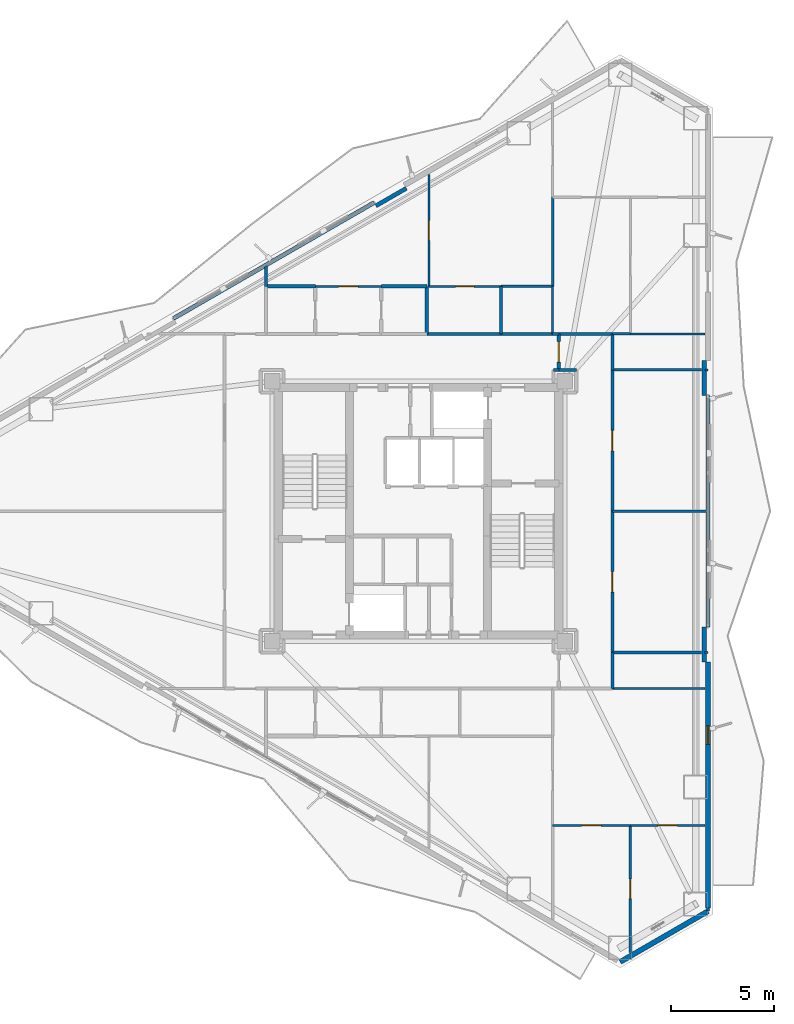
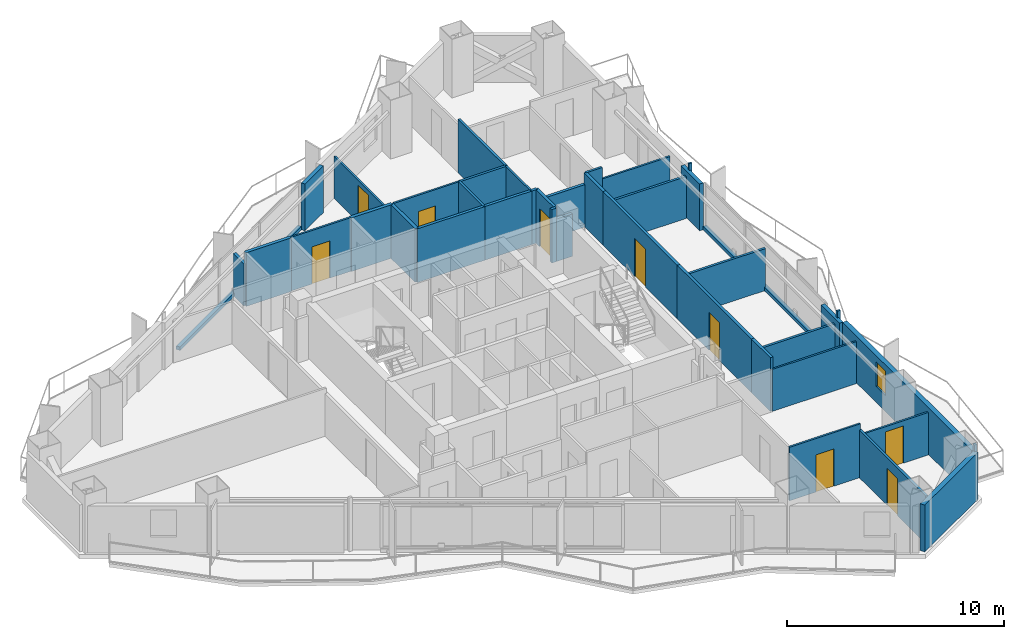
# One storey, part 18 of 22: 41 walls, 9 doors, 1 window, 10 openings.
"""IFC4 building model written with IfcOpenShell, lengths in metres."""

from ifc_helpers import new_model, si_unit, direction, frame, frame_2d, origin, place, context, subcontext, project, spatial, rectangle, extrude, material, layer, layer_set, type_object, element, fill, save


model = new_model("IFC4")

# Units and contexts
model_context = context("Model", 3, precision=1e-05, world=origin(), true_north=direction((0.0, 1.0)))
body_context = subcontext(model_context, "Body", "Model", "MODEL_VIEW")
ifc_project = project(units=[si_unit("LENGTHUNIT", "METRE"), si_unit("AREAUNIT", "SQUARE_METRE"), si_unit("VOLUMEUNIT", "CUBIC_METRE"), si_unit("PLANEANGLEUNIT", "RADIAN"), si_unit("MASSUNIT", "GRAM", prefix="KILO")], contexts=[model_context])

# Site, building, storey
site_placement = place(None, origin())
site = spatial("IfcSite", under=ifc_project, at=site_placement, CompositionType="ELEMENT")
building_placement = place(site_placement, origin())
building = spatial("IfcBuilding", under=site, at=building_placement, Name="Mersakhor Tower and Convention Hall", CompositionType="ELEMENT")
storey_placement = place(building_placement, frame((0.0, 0.0, 113.10009765625)))
storey = spatial("IfcBuildingStorey", under=building, at=storey_placement, Name="L31", CompositionType="ELEMENT", Elevation=113.10009765625)

# Wall
ifc_material_1 = material(Name="Precast concrete C40/50", Category="concrete")
ifc_layer_1 = layer(ifc_material_1, 0.25)
ifc_layer_set_1 = layer_set([ifc_layer_1], Name="Precast concrete C40/50")
wall_type_1 = type_object("IfcWallType", Name="WL-EXT-250", PredefinedType="SOLIDWALL", material=ifc_layer_set_1)
wall_1_placement = place(storey_placement, frame((43.03466796875, 7.355712890625, 0.0), z_axis=(0.0, 0.0, 1.0), x_axis=(-0.866011848704, -0.500023477353, 0.0)))
element("IfcWall", 1, at=wall_1_placement, inside=storey, type_object=wall_type_1, Name="L31 Chamfer Braced Spandrel Wall C2", PredefinedType="SOLIDWALL", context=body_context, shape_type="SweptSolid", body=[
    extrude(rectangle(XDim=4.914306640625, YDim=0.25, at=frame_2d((2.45703125, 0.0))), origin(), (0.0, 0.0, 1.0), 2.639892578125),
])

# Wall, opening, window
wall_2_placement = place(storey_placement, frame((43.03466796875, 19.435302734375, 0.0), z_axis=(0.0, 0.0, 1.0), x_axis=(0.0, -1.0, 0.0)))
wall_2 = element("IfcWall", 2, at=wall_2_placement, inside=storey, type_object=wall_type_1, Name="L31 Exterior Facade Wall F2-B3", PredefinedType="SOLIDWALL", context=body_context, shape_type="SweptSolid", body=[
    extrude(rectangle(XDim=11.9296875, YDim=0.25, at=frame_2d((5.96484375, 0.0))), origin(), (0.0, 0.0, 1.0), 2.639892578125),
])
opening_1_placement = place(wall_2_placement, frame((3.087890625, 0.0, 0.89990234375)))
opening_1 = element("IfcOpeningElement", 3, at=opening_1_placement, cuts=wall_2, Name="Opening W-06", PredefinedType="OPENING", context=body_context, shape_type="SweptSolid", body=[
    extrude(rectangle(XDim=0.89990234375, YDim=1.39990234375, at=frame_2d((0.449951171875, 0.699951171875))), frame((0.0, 0.135009765625, 0.0), z_axis=(0.0, -1.0, 0.0), x_axis=(1.0, 0.0, 0.0)), (0.0, 0.0, 1.0), 0.27001953125),
])
ifc_material_2 = material(Name="Dark solar low-E glazed aluminium window", Category="aluminium")
window_type = type_object("IfcWindowType", Name="WN-STD-090x140", PartitioningType="SINGLE_PANEL", PredefinedType="WINDOW", material=ifc_material_2)
window_placement = place(opening_1_placement, origin())
window = element("IfcWindow", 4, at=window_placement, inside=storey, type_object=window_type, Name="L31 Facade Punched Window F2-B3", OverallHeight=1.39990234375, OverallWidth=0.89990234375, PartitioningType="SINGLE_PANEL", PredefinedType="WINDOW", context=body_context, shape_type="SweptSolid", body=[
    extrude(rectangle(XDim=0.89990234375, YDim=1.39990234375, at=frame_2d((0.449951171875, 0.699951171875))), frame((0.0, 0.030029296875, 0.0), z_axis=(0.0, -1.0, 0.0), x_axis=(1.0, 0.0, 0.0)), (0.0, 0.0, 1.0), 0.06005859375),
])
fill(opening_1, window)

# Walls
ifc_material_3 = material(Name="Precast concrete C40/50", Category="concrete")
ifc_layer_2 = layer(ifc_material_3, 0.199951171875)
ifc_layer_set_2 = layer_set([ifc_layer_2], Name="Precast concrete C40/50")
wall_type_2 = type_object("IfcWallType", Name="WL-PAR-200", PredefinedType="PARAPET", material=ifc_layer_set_2)
wall_3_placement = place(storey_placement, frame((17.1201171875, 36.096923828125, 0.0), z_axis=(0.0, 0.0, 1.0), x_axis=(0.866027010039, 0.499997217876, 0.0)))
element("IfcWall", 5, at=wall_3_placement, inside=storey, type_object=wall_type_2, Name="L31 Curtain Wall Upstand Sill F1-B2", PredefinedType="PARAPET", context=body_context, shape_type="SweptSolid", body=[
    extrude(rectangle(XDim=11.2294921875, YDim=0.199951171875, at=frame_2d((5.61474609375, 0.0))), origin(), (0.0, 0.0, 1.0), 0.199951171875),
])
wall_4_placement = place(storey_placement, frame((26.935302734375, 41.555908203125, 0.0), z_axis=(0.0, 0.0, 1.0), x_axis=(0.86605165483, 0.499954529098, 0.0)))
element("IfcWall", 6, at=wall_4_placement, inside=storey, type_object=wall_type_2, Name="L31 Column Pier Cladding Wall F1-C2", PredefinedType="PARAPET", context=body_context, shape_type="SweptSolid", body=[
    extrude(rectangle(XDim=1.699951171875, YDim=0.199951171875, at=frame_2d((0.85009765625, 0.0))), origin(), (0.0, 0.0, 1.0), 2.639892578125),
])
wall_5_placement = place(storey_placement, frame((43.03466796875, 32.36474609375, 0.0), z_axis=(0.0, 0.0, 1.0), x_axis=(0.0, -1.0, 0.0)))
element("IfcWall", 7, at=wall_5_placement, inside=storey, type_object=wall_type_2, Name="L31 Curtain Wall Upstand Sill F2-B2", PredefinedType="PARAPET", context=body_context, shape_type="SweptSolid", body=[
    extrude(rectangle(XDim=11.2294921875, YDim=0.199951171875, at=frame_2d((5.61474609375, 0.0))), origin(), (0.0, 0.0, 1.0), 0.199951171875),
])
for number, where, z_axis, x_axis, name in (
    (8, (42.8544921875, 34.064697265625, 0.0), (0.0, 0.0, 1.0), (0.0, -1.0, 0.0), "L31 Column Pier Cladding Wall F2-C1"),
    (9, (42.8544921875, 21.13525390625, 0.0), (0.0, 0.0, 1.0), (0.0, -1.0, 0.0), "L31 Column Pier Cladding Wall F2-C2"),
):
    element("IfcWall", number, at=place(storey_placement, frame(where, z_axis=z_axis, x_axis=x_axis)), inside=storey, type_object=wall_type_2, Name=name, PredefinedType="PARAPET", context=body_context, shape_type="SweptSolid", body=[
        extrude(rectangle(XDim=1.699951171875, YDim=0.199951171875, at=frame_2d((0.85009765625, 0.0))), origin(), (0.0, 0.0, 1.0), 2.639892578125),
    ])
ifc_material_4 = material(Name="Moisture-resistant acoustic drywall studwork", Category="other")
ifc_layer_3 = layer(ifc_material_4, 0.175048828125)
ifc_layer_set_3 = layer_set([ifc_layer_3], Name="Moisture-resistant acoustic drywall studwork")
wall_type_3 = type_object("IfcWallType", Name="WL-PLM-175", PredefinedType="PLUMBINGWALL", material=ifc_layer_set_3)
wall_6_placement = place(storey_placement, frame((21.60009765625, 37.64990234375, 0.0), z_axis=(0.0, 0.0, 1.0), x_axis=(1.0, 0.0, 0.0)))
element("IfcWall", 10, at=wall_6_placement, inside=storey, type_object=wall_type_3, Name="L31 Interior Partition Wall P-068", PredefinedType="PLUMBINGWALL", context=body_context, shape_type="SweptSolid", body=[
    extrude(rectangle(XDim=2.39990234375, YDim=0.175048828125, at=frame_2d((1.199951171875, 0.0))), origin(), (0.0, 0.0, 1.0), 3.02001953125),
])
wall_7_placement = place(storey_placement, frame((27.199951171875, 37.64990234375, 0.0), z_axis=(0.0, 0.0, 1.0), x_axis=(1.0, 0.0, 0.0)))
element("IfcWall", 11, at=wall_7_placement, inside=storey, type_object=wall_type_3, Name="L31 Interior Partition Wall P-070", PredefinedType="PLUMBINGWALL", context=body_context, shape_type="SweptSolid", body=[
    extrude(rectangle(XDim=2.199951171875, YDim=0.175048828125, at=frame_2d((1.10009765625, 0.0))), origin(), (0.0, 0.0, 1.0), 3.02001953125),
])
wall_8_placement = place(storey_placement, frame((29.39990234375, 37.64990234375, 0.0), z_axis=(0.0, 0.0, 1.0), x_axis=(0.0, -1.0, 0.0)))
element("IfcWall", 12, at=wall_8_placement, inside=storey, type_object=wall_type_3, Name="L31 Interior Partition Wall P-071", PredefinedType="PLUMBINGWALL", context=body_context, shape_type="SweptSolid", body=[
    extrude(rectangle(XDim=2.2998046875, YDim=0.175048828125, at=frame_2d((1.14990234375, 0.0))), origin(), (0.0, 0.0, 1.0), 3.02001953125),
])

# Wall, opening, door
ifc_material_5 = material(Name="Lightweight gypsum partition", Category="other")
ifc_layer_4 = layer(ifc_material_5, 0.10009765625)
ifc_layer_set_4 = layer_set([ifc_layer_4], Name="Lightweight gypsum partition")
wall_type_4 = type_object("IfcWallType", Name="WL-PRT-100", PredefinedType="PARTITIONING", material=ifc_layer_set_4)
wall_9_placement = place(storey_placement, frame((24.0, 37.64990234375, 0.0), z_axis=(0.0, 0.0, 1.0), x_axis=(1.0, 0.0, 0.0)))
wall_9 = element("IfcWall", 13, at=wall_9_placement, inside=storey, type_object=wall_type_4, Name="L31 Interior Partition Wall P-062", PredefinedType="PARTITIONING", context=body_context, shape_type="SweptSolid", body=[
    extrude(rectangle(XDim=3.199951171875, YDim=0.10009765625, at=frame_2d((1.60009765625, 0.0))), origin(), (0.0, 0.0, 1.0), 3.02001953125),
])
opening_2_placement = place(wall_9_placement, frame((1.125, 0.0, 0.0)))
opening_2 = element("IfcOpeningElement", 14, at=opening_2_placement, cuts=wall_9, Name="Opening RD-01", PredefinedType="OPENING", context=body_context, shape_type="SweptSolid", body=[
    extrude(rectangle(XDim=0.949951171875, YDim=2.10009765625, at=frame_2d((0.47509765625, 1.050048828125))), frame((0.0, 0.06005859375, 0.0), z_axis=(0.0, -1.0, 0.0), x_axis=(1.0, 0.0, 0.0)), (0.0, 0.0, 1.0), 0.1201171875),
])
ifc_material_6 = material(Name="Solid-core hardwood leaf in painted steel frame", Category="steel")
door_type_1 = type_object("IfcDoorType", Name="DR-INT-RM-095x210", OperationType="NOTDEFINED", PredefinedType="DOOR", material=ifc_material_6)
door_1_placement = place(opening_2_placement, origin())
door_1 = element("IfcDoor", 15, at=door_1_placement, inside=storey, type_object=door_type_1, Name="L31 L31 Flat N1 Apartment Hall to L31 Flat N1 Living and Dining Room Door", OperationType="SINGLE_SWING_LEFT", OverallHeight=2.10009765625, OverallWidth=0.949951171875, PredefinedType="DOOR", context=body_context, shape_type="SweptSolid", body=[
    extrude(rectangle(XDim=0.949951171875, YDim=2.10009765625, at=frame_2d((0.47509765625, 1.050048828125))), frame((0.0, 0.02490234375, 0.0), z_axis=(0.0, -1.0, 0.0), x_axis=(1.0, 0.0, 0.0)), (0.0, 0.0, 1.0), 0.050048828125),
])
fill(opening_2, door_1)

wall_10_placement = place(storey_placement, frame((29.5, 37.64990234375, 0.0), z_axis=(0.0, 0.0, 1.0), x_axis=(1.0, 0.0, 0.0)))
wall_10 = element("IfcWall", 16, at=wall_10_placement, inside=storey, type_object=wall_type_4, Name="L31 Interior Partition Wall P-072", PredefinedType="PARTITIONING", context=body_context, shape_type="SweptSolid", body=[
    extrude(rectangle(XDim=3.5, YDim=0.10009765625, at=frame_2d((1.75, 0.0))), origin(), (0.0, 0.0, 1.0), 3.02001953125),
])
opening_3_placement = place(wall_10_placement, frame((1.300048828125, 0.0, 0.0)))
opening_3 = element("IfcOpeningElement", 17, at=opening_3_placement, cuts=wall_10, Name="Opening WD-01", PredefinedType="OPENING", context=body_context, shape_type="SweptSolid", body=[
    extrude(rectangle(XDim=0.89990234375, YDim=2.10009765625, at=frame_2d((0.449951171875, 1.050048828125))), frame((0.0, 0.06005859375, 0.0), z_axis=(0.0, -1.0, 0.0), x_axis=(1.0, 0.0, 0.0)), (0.0, 0.0, 1.0), 0.1201171875),
])
ifc_material_7 = material(Name="Solid-core hardwood leaf in painted steel frame", Category="steel")
door_type_2 = type_object("IfcDoorType", Name="DR-INT-WET-090x210", OperationType="NOTDEFINED", PredefinedType="DOOR", material=ifc_material_7)
door_2_placement = place(opening_3_placement, origin())
door_2 = element("IfcDoor", 18, at=door_2_placement, inside=storey, type_object=door_type_2, Name="L31 L31 Flat N1 Kitchen to L31 Flat N1 Master Bedroom Door", OperationType="SINGLE_SWING_RIGHT", OverallHeight=2.10009765625, OverallWidth=0.89990234375, PredefinedType="DOOR", context=body_context, shape_type="SweptSolid", body=[
    extrude(rectangle(XDim=0.89990234375, YDim=2.10009765625, at=frame_2d((0.449951171875, 1.050048828125))), frame((0.0, 0.02490234375, 0.0), z_axis=(0.0, -1.0, 0.0), x_axis=(1.0, 0.0, 0.0)), (0.0, 0.0, 1.0), 0.050048828125),
])
fill(opening_3, door_2)

# Walls
wall_11_placement = place(storey_placement, frame((42.8896484375, 33.60009765625, 0.0), z_axis=(0.0, 0.0, 1.0), x_axis=(1.0, 0.0, 0.0)))
element("IfcWall", 19, at=wall_11_placement, inside=storey, type_object=wall_type_4, Name="L31 Interior Partition Wall P-088", PredefinedType="PARTITIONING", context=body_context, shape_type="SweptSolid", body=[
    extrude(rectangle(XDim=0.145263671875, YDim=0.10009765625, at=frame_2d((0.07275390625, 0.0))), origin(), (0.0, 0.0, 1.0), 3.02001953125),
])
wall_12_placement = place(storey_placement, frame((43.034912109375, 19.89990234375, 0.0), z_axis=(0.0, 0.0, 1.0), x_axis=(-1.0, 0.0, 0.0)))
element("IfcWall", 20, at=wall_12_placement, inside=storey, type_object=wall_type_4, Name="L31 Interior Partition Wall P-090", PredefinedType="PARTITIONING", context=body_context, shape_type="SweptSolid", body=[
    extrude(rectangle(XDim=0.160400390625, YDim=0.10009765625, at=frame_2d((0.080078125, 0.0))), origin(), (0.0, 0.0, 1.0), 3.02001953125),
])

# Wall, opening, door
wall_13_placement = place(storey_placement, frame((29.5, 43.072509765625, 0.0), z_axis=(0.0, 0.0, 1.0), x_axis=(0.0, -1.0, 0.0)))
wall_13 = element("IfcWall", 21, at=wall_13_placement, inside=storey, type_object=wall_type_4, Name="L31 Interior Partition Wall P-092", PredefinedType="PARTITIONING", context=body_context, shape_type="SweptSolid", body=[
    extrude(rectangle(XDim=5.422607421875, YDim=0.10009765625, at=frame_2d((2.71142578125, 0.0))), origin(), (0.0, 0.0, 1.0), 2.364990234375),
])
opening_4_placement = place(wall_13_placement, frame((2.236083984375, 0.0, 0.0)))
opening_4 = element("IfcOpeningElement", 22, at=opening_4_placement, cuts=wall_13, Name="Opening RD-01", PredefinedType="OPENING", context=body_context, shape_type="SweptSolid", body=[
    extrude(rectangle(XDim=0.949951171875, YDim=2.10009765625, at=frame_2d((0.47509765625, 1.050048828125))), frame((0.0, 0.06005859375, 0.0), z_axis=(0.0, -1.0, 0.0), x_axis=(1.0, 0.0, 0.0)), (0.0, 0.0, 1.0), 0.1201171875),
])
door_3_placement = place(opening_4_placement, origin())
door_3 = element("IfcDoor", 23, at=door_3_placement, inside=storey, type_object=door_type_1, Name="L31 L31 Flat N1 Living and Dining Room to L31 Flat N1 Master Bedroom Door", OperationType="SINGLE_SWING_RIGHT", OverallHeight=2.10009765625, OverallWidth=0.949951171875, PredefinedType="DOOR", context=body_context, shape_type="SweptSolid", body=[
    extrude(rectangle(XDim=0.949951171875, YDim=2.10009765625, at=frame_2d((0.47509765625, 1.050048828125))), frame((0.0, 0.02490234375, 0.0), z_axis=(0.0, -1.0, 0.0), x_axis=(1.0, 0.0, 0.0)), (0.0, 0.0, 1.0), 0.050048828125),
])
fill(opening_4, door_3)

# Walls
wall_14_placement = place(storey_placement, frame((35.5, 35.35009765625, 0.0), z_axis=(0.0, 0.0, 1.0), x_axis=(0.0, 1.0, 0.0)))
element("IfcWall", 24, at=wall_14_placement, inside=storey, type_object=wall_type_4, Name="L31 Interior Partition Wall P-096", PredefinedType="PARTITIONING", context=body_context, shape_type="SweptSolid", body=[
    extrude(rectangle(XDim=2.2998046875, YDim=0.10009765625, at=frame_2d((1.14990234375, 0.0))), origin(), (0.0, 0.0, 1.0), 3.02001953125),
])
wall_15_placement = place(storey_placement, frame((42.885498046875, 35.35009765625, 0.0), z_axis=(0.0, 0.0, 1.0), x_axis=(-1.0, 0.0, 0.0)))
element("IfcWall", 25, at=wall_15_placement, inside=storey, type_object=wall_type_4, Name="L31 Interior Partition Wall P-100", PredefinedType="PARTITIONING", context=body_context, shape_type="SweptSolid", body=[
    extrude(rectangle(XDim=3.615478515625, YDim=0.10009765625, at=frame_2d((1.8076171875, 0.0))), origin(), (0.0, 0.0, 1.0), 2.364990234375),
])

# Wall, opening, door
wall_16_placement = place(storey_placement, frame((35.5, 11.52001953125, 0.0), z_axis=(0.0, 0.0, 1.0), x_axis=(1.0, 0.0, 0.0)))
wall_16 = element("IfcWall", 26, at=wall_16_placement, inside=storey, type_object=wall_type_4, Name="L31 Interior Partition Wall P-108", PredefinedType="PARTITIONING", context=body_context, shape_type="SweptSolid", body=[
    extrude(rectangle(XDim=3.77001953125, YDim=0.10009765625, at=frame_2d((1.885009765625, 0.0))), origin(), (0.0, 0.0, 1.0), 3.02001953125),
])
opening_5_placement = place(wall_16_placement, frame((1.409912109375, 0.0, 0.0)))
opening_5 = element("IfcOpeningElement", 27, at=opening_5_placement, cuts=wall_16, Name="Opening RD-01", PredefinedType="OPENING", context=body_context, shape_type="SweptSolid", body=[
    extrude(rectangle(XDim=0.949951171875, YDim=2.10009765625, at=frame_2d((0.47509765625, 1.050048828125))), frame((0.0, 0.06005859375, 0.0), z_axis=(0.0, -1.0, 0.0), x_axis=(1.0, 0.0, 0.0)), (0.0, 0.0, 1.0), 0.1201171875),
])
door_4_placement = place(opening_5_placement, origin())
door_4 = element("IfcDoor", 28, at=door_4_placement, inside=storey, type_object=door_type_1, Name="L31 L31 Flat S2 Bedroom 2 to L31 Flat S2 Dining Room Door", OperationType="SINGLE_SWING_RIGHT", OverallHeight=2.10009765625, OverallWidth=0.949951171875, PredefinedType="DOOR", context=body_context, shape_type="SweptSolid", body=[
    extrude(rectangle(XDim=0.949951171875, YDim=2.10009765625, at=frame_2d((0.47509765625, 1.050048828125))), frame((0.0, 0.02490234375, 0.0), z_axis=(0.0, -1.0, 0.0), x_axis=(1.0, 0.0, 0.0)), (0.0, 0.0, 1.0), 0.050048828125),
])
fill(opening_5, door_4)

wall_17_placement = place(storey_placement, frame((39.27001953125, 11.52001953125, 0.0), z_axis=(0.0, 0.0, 1.0), x_axis=(1.0, 0.0, 0.0)))
wall_17 = element("IfcWall", 29, at=wall_17_placement, inside=storey, type_object=wall_type_4, Name="L31 Interior Partition Wall P-110", PredefinedType="PARTITIONING", context=body_context, shape_type="SweptSolid", body=[
    extrude(rectangle(XDim=3.615478515625, YDim=0.10009765625, at=frame_2d((1.8076171875, 0.0))), origin(), (0.0, 0.0, 1.0), 2.392822265625),
])
opening_6_placement = place(wall_17_placement, frame((1.332763671875, 0.0, 0.0)))
opening_6 = element("IfcOpeningElement", 30, at=opening_6_placement, cuts=wall_17, Name="Opening RD-01", PredefinedType="OPENING", context=body_context, shape_type="SweptSolid", body=[
    extrude(rectangle(XDim=0.949951171875, YDim=2.10009765625, at=frame_2d((0.47509765625, 1.050048828125))), frame((0.0, 0.06005859375, 0.0), z_axis=(0.0, -1.0, 0.0), x_axis=(1.0, 0.0, 0.0)), (0.0, 0.0, 1.0), 0.1201171875),
])
door_5_placement = place(opening_6_placement, origin())
door_5 = element("IfcDoor", 31, at=door_5_placement, inside=storey, type_object=door_type_1, Name="L31 L31 Flat S2 Study Room to L31 Flat S2 Dining Room Door", OperationType="SINGLE_SWING_LEFT", OverallHeight=2.10009765625, OverallWidth=0.949951171875, PredefinedType="DOOR", context=body_context, shape_type="SweptSolid", body=[
    extrude(rectangle(XDim=0.949951171875, YDim=2.10009765625, at=frame_2d((0.47509765625, 1.050048828125))), frame((0.0, 0.02490234375, 0.0), z_axis=(0.0, -1.0, 0.0), x_axis=(1.0, 0.0, 0.0)), (0.0, 0.0, 1.0), 0.050048828125),
])
fill(opening_6, door_5)

# Walls
wall_18_placement = place(storey_placement, frame((38.39990234375, 18.14990234375, 0.0), z_axis=(0.0, 0.0, 1.0), x_axis=(1.0, 0.0, 0.0)))
element("IfcWall", 32, at=wall_18_placement, inside=storey, type_object=wall_type_4, Name="L31 Interior Partition Wall P-112", PredefinedType="PARTITIONING", context=body_context, shape_type="SweptSolid", body=[
    extrude(rectangle(XDim=4.485595703125, YDim=0.10009765625, at=frame_2d((2.24267578125, 0.0))), origin(), (0.0, 0.0, 1.0), 2.364990234375),
])
ifc_material_8 = material(Name="Gypsum board acoustic partition", Category="other")
ifc_layer_5 = layer(ifc_material_8, 0.125)
ifc_layer_set_5 = layer_set([ifc_layer_5], Name="Gypsum board acoustic partition")
wall_type_5 = type_object("IfcWallType", Name="WL-PRT-125", PredefinedType="PARTITIONING", material=ifc_layer_set_5)
wall_19_placement = place(storey_placement, frame((33.0, 37.64990234375, 0.0), z_axis=(0.0, 0.0, 1.0), x_axis=(0.0, -1.0, 0.0)))
element("IfcWall", 33, at=wall_19_placement, inside=storey, type_object=wall_type_5, Name="L31 Interior Partition Wall P-073", PredefinedType="PARTITIONING", context=body_context, shape_type="SweptSolid", body=[
    extrude(rectangle(XDim=2.2998046875, YDim=0.125, at=frame_2d((1.14990234375, 0.0))), origin(), (0.0, 0.0, 1.0), 3.02001953125),
])
wall_20_placement = place(storey_placement, frame((38.39990234375, 33.60009765625, 0.0), z_axis=(0.0, 0.0, 1.0), x_axis=(1.0, 0.0, 0.0)))
element("IfcWall", 34, at=wall_20_placement, inside=storey, type_object=wall_type_5, Name="L31 Interior Partition Wall P-087", PredefinedType="PARTITIONING", context=body_context, shape_type="SweptSolid", body=[
    extrude(rectangle(XDim=4.330810546875, YDim=0.125, at=frame_2d((2.16552734375, 0.0))), origin(), (0.0, 0.0, 1.0), 2.364990234375),
])
wall_21_placement = place(storey_placement, frame((42.99853515625, 26.75, 0.0), z_axis=(0.0, 0.0, 1.0), x_axis=(-1.0, 0.0, 0.0)))
element("IfcWall", 35, at=wall_21_placement, inside=storey, type_object=wall_type_5, Name="L31 Interior Partition Wall P-089", PredefinedType="PARTITIONING", context=body_context, shape_type="SweptSolid", body=[
    extrude(rectangle(XDim=4.5986328125, YDim=0.125, at=frame_2d((2.29931640625, 0.0))), origin(), (0.0, 0.0, 1.0), 2.364990234375),
])
wall_22_placement = place(storey_placement, frame((42.730712890625, 19.89990234375, 0.0), z_axis=(0.0, 0.0, 1.0), x_axis=(-1.0, 0.0, 0.0)))
element("IfcWall", 36, at=wall_22_placement, inside=storey, type_object=wall_type_5, Name="L31 Interior Partition Wall P-091", PredefinedType="PARTITIONING", context=body_context, shape_type="SweptSolid", body=[
    extrude(rectangle(XDim=4.330810546875, YDim=0.125, at=frame_2d((2.16552734375, 0.0))), origin(), (0.0, 0.0, 1.0), 2.364990234375),
])
wall_23_placement = place(storey_placement, frame((35.5, 37.64990234375, 0.0), z_axis=(0.0, 0.0, 1.0), x_axis=(-1.0, 0.0, 0.0)))
element("IfcWall", 37, at=wall_23_placement, inside=storey, type_object=wall_type_5, Name="L31 Interior Partition Wall P-093", PredefinedType="PARTITIONING", context=body_context, shape_type="SweptSolid", body=[
    extrude(rectangle(XDim=2.5, YDim=0.125, at=frame_2d((1.25, 0.0))), origin(), (0.0, 0.0, 1.0), 3.02001953125),
])
wall_24_placement = place(storey_placement, frame((35.5, 41.97998046875, 0.0), z_axis=(0.0, 0.0, 1.0), x_axis=(0.0, -1.0, 0.0)))
element("IfcWall", 38, at=wall_24_placement, inside=storey, type_object=wall_type_5, Name="L31 Interior Partition Wall P-095", PredefinedType="PARTITIONING", context=body_context, shape_type="SweptSolid", body=[
    extrude(rectangle(XDim=4.330078125, YDim=0.125, at=frame_2d((2.1650390625, 0.0))), origin(), (0.0, 0.0, 1.0), 3.02001953125),
])
wall_25_placement = place(storey_placement, frame((39.27001953125, 35.35009765625, 0.0), z_axis=(0.0, 0.0, 1.0), x_axis=(-1.0, 0.0, 0.0)))
element("IfcWall", 39, at=wall_25_placement, inside=storey, type_object=wall_type_5, Name="L31 Interior Partition Wall P-099", PredefinedType="PARTITIONING", context=body_context, shape_type="SweptSolid", body=[
    extrude(rectangle(XDim=0.8701171875, YDim=0.125, at=frame_2d((0.43505859375, 0.0))), origin(), (0.0, 0.0, 1.0), 3.02001953125),
])

# Wall, opening, door
wall_26_placement = place(storey_placement, frame((39.27001953125, 11.52001953125, 0.0), z_axis=(0.0, 0.0, 1.0), x_axis=(0.0, -1.0, 0.0)))
wall_26 = element("IfcWall", 40, at=wall_26_placement, inside=storey, type_object=wall_type_5, Name="L31 Interior Partition Wall P-109", PredefinedType="PARTITIONING", context=body_context, shape_type="SweptSolid", body=[
    extrude(rectangle(XDim=6.165771484375, YDim=0.125, at=frame_2d((3.0830078125, 0.0))), origin(), (0.0, 0.0, 1.0), 2.684326171875),
])
opening_7_placement = place(wall_26_placement, frame((2.60791015625, 0.0, 0.0)))
opening_7 = element("IfcOpeningElement", 41, at=opening_7_placement, cuts=wall_26, Name="Opening RD-01", PredefinedType="OPENING", context=body_context, shape_type="SweptSolid", body=[
    extrude(rectangle(XDim=0.949951171875, YDim=2.10009765625, at=frame_2d((0.47509765625, 1.050048828125))), frame((0.0, 0.072509765625, 0.0), z_axis=(0.0, -1.0, 0.0), x_axis=(1.0, 0.0, 0.0)), (0.0, 0.0, 1.0), 0.14501953125),
])
door_6_placement = place(opening_7_placement, origin())
door_6 = element("IfcDoor", 42, at=door_6_placement, inside=storey, type_object=door_type_1, Name="L31 L31 Flat S2 Bedroom 2 to L31 Flat S2 Study Room Door", OperationType="SINGLE_SWING_LEFT", OverallHeight=2.10009765625, OverallWidth=0.949951171875, PredefinedType="DOOR", context=body_context, shape_type="SweptSolid", body=[
    extrude(rectangle(XDim=0.949951171875, YDim=2.10009765625, at=frame_2d((0.47509765625, 1.050048828125))), frame((0.0, 0.02490234375, 0.0), z_axis=(0.0, -1.0, 0.0), x_axis=(1.0, 0.0, 0.0)), (0.0, 0.0, 1.0), 0.050048828125),
])
fill(opening_7, door_6)

# Walls
wall_27_placement = place(storey_placement, frame((43.034912109375, 7.505615234375, 0.0), z_axis=(0.0, 0.0, 1.0), x_axis=(0.0, -1.0, 0.0)))
element("IfcWall", 43, at=wall_27_placement, inside=storey, type_object=wall_type_5, Name="L31 Interior Partition Wall P-111", PredefinedType="PARTITIONING", context=body_context, shape_type="SweptSolid", body=[
    extrude(rectangle(XDim=0.149658203125, YDim=0.125, at=frame_2d((0.07470703125, 0.0))), origin(), (0.0, 0.0, 1.0), 3.02001953125),
])
ifc_material_9 = material(Name="Fire-rated gypsum board stud partition", Category="other")
ifc_layer_6 = layer(ifc_material_9, 0.14990234375)
ifc_layer_set_6 = layer_set([ifc_layer_6], Name="Fire-rated gypsum board stud partition")
wall_type_6 = type_object("IfcWallType", Name="WL-PRT-150", PredefinedType="PARTITIONING", material=ifc_layer_set_6)
wall_28_placement = place(storey_placement, frame((29.39990234375, 35.35009765625, 0.0), z_axis=(0.0, 0.0, 1.0), x_axis=(1.0, 0.0, 0.0)))
element("IfcWall", 44, at=wall_28_placement, inside=storey, type_object=wall_type_6, Name="L31 Interior Partition Wall P-038", PredefinedType="PARTITIONING", context=body_context, shape_type="SweptSolid", body=[
    extrude(rectangle(XDim=3.60009765625, YDim=0.14990234375, at=frame_2d((1.800048828125, 0.0))), origin(), (0.0, 0.0, 1.0), 3.02001953125),
])
wall_29_placement = place(storey_placement, frame((33.0, 35.35009765625, 0.0), z_axis=(0.0, 0.0, 1.0), x_axis=(1.0, 0.0, 0.0)))
element("IfcWall", 45, at=wall_29_placement, inside=storey, type_object=wall_type_6, Name="L31 Interior Partition Wall P-039", PredefinedType="PARTITIONING", context=body_context, shape_type="SweptSolid", body=[
    extrude(rectangle(XDim=2.5, YDim=0.14990234375, at=frame_2d((1.25, 0.0))), origin(), (0.0, 0.0, 1.0), 3.02001953125),
])
wall_30_placement = place(storey_placement, frame((35.5, 35.35009765625, 0.0), z_axis=(0.0, 0.0, 1.0), x_axis=(1.0, 0.0, 0.0)))
element("IfcWall", 46, at=wall_30_placement, inside=storey, type_object=wall_type_6, Name="L31 Interior Partition Wall P-040", PredefinedType="PARTITIONING", context=body_context, shape_type="SweptSolid", body=[
    extrude(rectangle(XDim=0.300048828125, YDim=0.14990234375, at=frame_2d((0.14990234375, 0.0))), origin(), (0.0, 0.0, 1.0), 3.02001953125),
])

# Wall, opening, door
wall_31_placement = place(storey_placement, frame((35.800048828125, 35.35009765625, 0.0), z_axis=(0.0, 0.0, 1.0), x_axis=(0.0, -1.0, 0.0)))
wall_31 = element("IfcWall", 47, at=wall_31_placement, inside=storey, type_object=wall_type_6, Name="L31 Interior Partition Wall P-041", PredefinedType="PARTITIONING", context=body_context, shape_type="SweptSolid", body=[
    extrude(rectangle(XDim=1.75, YDim=0.14990234375, at=frame_2d((0.875, 0.0))), origin(), (0.0, 0.0, 1.0), 3.02001953125),
])
opening_8_placement = place(wall_31_placement, frame((0.375, 0.0, 0.0)))
opening_8 = element("IfcOpeningElement", 48, at=opening_8_placement, cuts=wall_31, Name="Opening FD-01", PredefinedType="OPENING", context=body_context, shape_type="SweptSolid", body=[
    extrude(rectangle(XDim=1.0, YDim=2.14990234375, at=frame_2d((0.5, 1.074951171875))), frame((0.0, 0.0849609375, 0.0), z_axis=(0.0, -1.0, 0.0), x_axis=(1.0, 0.0, 0.0)), (0.0, 0.0, 1.0), 0.169921875),
])
ifc_material_10 = material(Name="Fire-rated hardwood leaf and painted steel frame", Category="steel")
door_type_3 = type_object("IfcDoorType", Name="DR-INT-FLT-100x215", OperationType="NOTDEFINED", PredefinedType="DOOR", material=ifc_material_10)
door_7_placement = place(opening_8_placement, origin())
door_7 = element("IfcDoor", 49, at=door_7_placement, inside=storey, type_object=door_type_3, Name="L31 Ring Corridor Fire Door", OperationType="SINGLE_SWING_LEFT", OverallHeight=2.14990234375, OverallWidth=1.0, PredefinedType="DOOR", context=body_context, shape_type="SweptSolid", body=[
    extrude(rectangle(XDim=1.0, YDim=2.14990234375, at=frame_2d((0.5, 1.074951171875))), frame((0.0, 0.02490234375, 0.0), z_axis=(0.0, -1.0, 0.0), x_axis=(1.0, 0.0, 0.0)), (0.0, 0.0, 1.0), 0.050048828125),
])
fill(opening_8, door_7)

# Walls
wall_32_placement = place(storey_placement, frame((35.800048828125, 33.60009765625, 0.0), z_axis=(0.0, 0.0, 1.0), x_axis=(-1.0, 0.0, 0.0)))
element("IfcWall", 50, at=wall_32_placement, inside=storey, type_object=wall_type_6, Name="L31 Interior Partition Wall P-042", PredefinedType="PARTITIONING", context=body_context, shape_type="SweptSolid", body=[
    extrude(rectangle(XDim=0.25, YDim=0.14990234375, at=frame_2d((0.125, 0.0))), origin(), (0.0, 0.0, 1.0), 3.02001953125),
])
wall_33_placement = place(storey_placement, frame((36.64990234375, 33.60009765625, 0.0), z_axis=(0.0, 0.0, 1.0), x_axis=(-1.0, 0.0, 0.0)))
element("IfcWall", 51, at=wall_33_placement, inside=storey, type_object=wall_type_6, Name="L31 Interior Partition Wall P-053", PredefinedType="PARTITIONING", context=body_context, shape_type="SweptSolid", body=[
    extrude(rectangle(XDim=0.849853515625, YDim=0.14990234375, at=frame_2d((0.4248046875, 0.0))), origin(), (0.0, 0.0, 1.0), 2.392822265625),
])
wall_34_placement = place(storey_placement, frame((35.800048828125, 35.35009765625, 0.0), z_axis=(0.0, 0.0, 1.0), x_axis=(1.0, 0.0, 0.0)))
element("IfcWall", 52, at=wall_34_placement, inside=storey, type_object=wall_type_6, Name="L31 Interior Partition Wall P-054", PredefinedType="PARTITIONING", context=body_context, shape_type="SweptSolid", body=[
    extrude(rectangle(XDim=2.599853515625, YDim=0.14990234375, at=frame_2d((1.2998046875, 0.0))), origin(), (0.0, 0.0, 1.0), 2.392822265625),
])
wall_35_placement = place(storey_placement, frame((38.39990234375, 35.35009765625, 0.0), z_axis=(0.0, 0.0, 1.0), x_axis=(0.0, -1.0, 0.0)))
element("IfcWall", 53, at=wall_35_placement, inside=storey, type_object=wall_type_6, Name="L31 Interior Partition Wall P-055", PredefinedType="PARTITIONING", context=body_context, shape_type="SweptSolid", body=[
    extrude(rectangle(XDim=1.75, YDim=0.14990234375, at=frame_2d((0.875, 0.0))), origin(), (0.0, 0.0, 1.0), 3.02001953125),
])

# Wall, opening, door
wall_36_placement = place(storey_placement, frame((38.39990234375, 33.60009765625, 0.0), z_axis=(0.0, 0.0, 1.0), x_axis=(0.0, -1.0, 0.0)))
wall_36 = element("IfcWall", 54, at=wall_36_placement, inside=storey, type_object=wall_type_6, Name="L31 Interior Partition Wall P-056", PredefinedType="PARTITIONING", context=body_context, shape_type="SweptSolid", body=[
    extrude(rectangle(XDim=6.85009765625, YDim=0.14990234375, at=frame_2d((3.425048828125, 0.0))), origin(), (0.0, 0.0, 1.0), 3.02001953125),
])
opening_9_placement = place(wall_36_placement, frame((2.925048828125, 0.0, 0.0)))
opening_9 = element("IfcOpeningElement", 55, at=opening_9_placement, cuts=wall_36, Name="Opening FD-01", PredefinedType="OPENING", context=body_context, shape_type="SweptSolid", body=[
    extrude(rectangle(XDim=1.0, YDim=2.14990234375, at=frame_2d((0.5, 1.074951171875))), frame((0.0, 0.0849609375, 0.0), z_axis=(0.0, -1.0, 0.0), x_axis=(1.0, 0.0, 0.0)), (0.0, 0.0, 1.0), 0.169921875),
])
door_8_placement = place(opening_9_placement, origin())
door_8 = element("IfcDoor", 56, at=door_8_placement, inside=storey, type_object=door_type_3, Name="L31 Residential Ring East Corridor to L31 East Wing Shared Laundry Room Door", OperationType="SINGLE_SWING_LEFT", OverallHeight=2.14990234375, OverallWidth=1.0, PredefinedType="DOOR", context=body_context, shape_type="SweptSolid", body=[
    extrude(rectangle(XDim=1.0, YDim=2.14990234375, at=frame_2d((0.5, 1.074951171875))), frame((0.0, 0.02490234375, 0.0), z_axis=(0.0, -1.0, 0.0), x_axis=(1.0, 0.0, 0.0)), (0.0, 0.0, 1.0), 0.050048828125),
])
fill(opening_9, door_8)

wall_37_placement = place(storey_placement, frame((38.39990234375, 26.75, 0.0), z_axis=(0.0, 0.0, 1.0), x_axis=(0.0, -1.0, 0.0)))
wall_37 = element("IfcWall", 57, at=wall_37_placement, inside=storey, type_object=wall_type_6, Name="L31 Interior Partition Wall P-057", PredefinedType="PARTITIONING", context=body_context, shape_type="SweptSolid", body=[
    extrude(rectangle(XDim=6.85009765625, YDim=0.14990234375, at=frame_2d((3.425048828125, 0.0))), origin(), (0.0, 0.0, 1.0), 3.02001953125),
])
opening_10_placement = place(wall_37_placement, frame((2.925048828125, 0.0, 0.0)))
opening_10 = element("IfcOpeningElement", 58, at=opening_10_placement, cuts=wall_37, Name="Opening FD-01", PredefinedType="OPENING", context=body_context, shape_type="SweptSolid", body=[
    extrude(rectangle(XDim=1.0, YDim=2.14990234375, at=frame_2d((0.5, 1.074951171875))), frame((0.0, 0.0849609375, 0.0), z_axis=(0.0, -1.0, 0.0), x_axis=(1.0, 0.0, 0.0)), (0.0, 0.0, 1.0), 0.169921875),
])
door_9_placement = place(opening_10_placement, origin())
door_9 = element("IfcDoor", 59, at=door_9_placement, inside=storey, type_object=door_type_3, Name="L31 Residential Ring East Corridor to L31 East Wing Shared Tea Pantry Door", OperationType="SINGLE_SWING_RIGHT", OverallHeight=2.14990234375, OverallWidth=1.0, PredefinedType="DOOR", context=body_context, shape_type="SweptSolid", body=[
    extrude(rectangle(XDim=1.0, YDim=2.14990234375, at=frame_2d((0.5, 1.074951171875))), frame((0.0, 0.02490234375, 0.0), z_axis=(0.0, -1.0, 0.0), x_axis=(1.0, 0.0, 0.0)), (0.0, 0.0, 1.0), 0.050048828125),
])
fill(opening_10, door_9)

# Walls
wall_38_placement = place(storey_placement, frame((38.39990234375, 19.89990234375, 0.0), z_axis=(0.0, 0.0, 1.0), x_axis=(0.0, -1.0, 0.0)))
element("IfcWall", 60, at=wall_38_placement, inside=storey, type_object=wall_type_6, Name="L31 Interior Partition Wall P-058", PredefinedType="PARTITIONING", context=body_context, shape_type="SweptSolid", body=[
    extrude(rectangle(XDim=1.75, YDim=0.14990234375, at=frame_2d((0.875, 0.0))), origin(), (0.0, 0.0, 1.0), 3.02001953125),
])
wall_39_placement = place(storey_placement, frame((21.60009765625, 38.641845703125, 0.0), z_axis=(0.0, 0.0, 1.0), x_axis=(0.0, -1.0, 0.0)))
element("IfcWall", 61, at=wall_39_placement, inside=storey, type_object=wall_type_6, Name="L31 Interior Partition Wall P-080", PredefinedType="PARTITIONING", context=body_context, shape_type="SweptSolid", body=[
    extrude(rectangle(XDim=0.991943359375, YDim=0.14990234375, at=frame_2d((0.49609375, 0.0))), origin(), (0.0, 0.0, 1.0), 2.364990234375),
])

save(model, "model.ifc")
